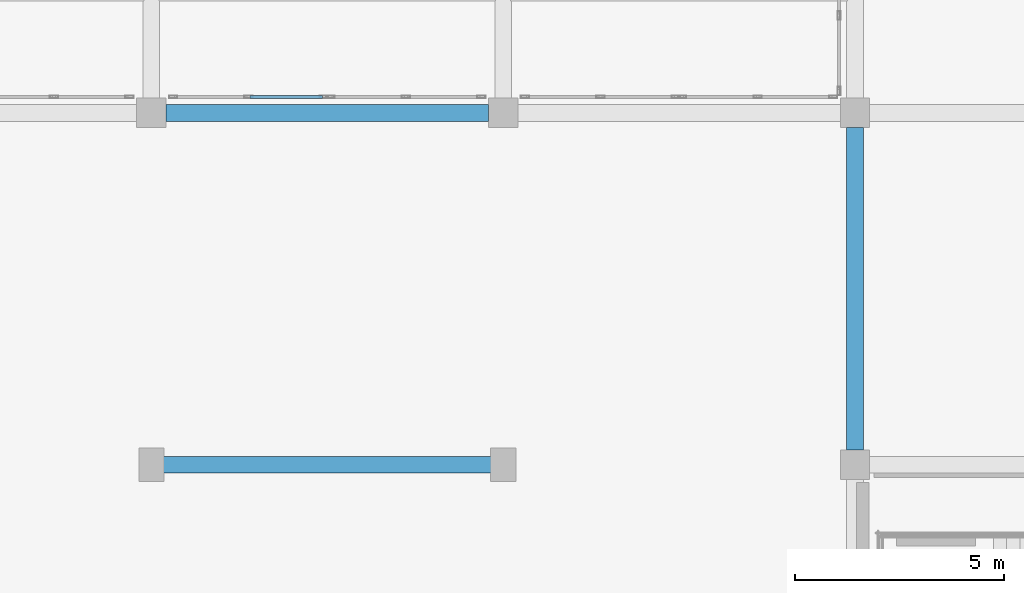
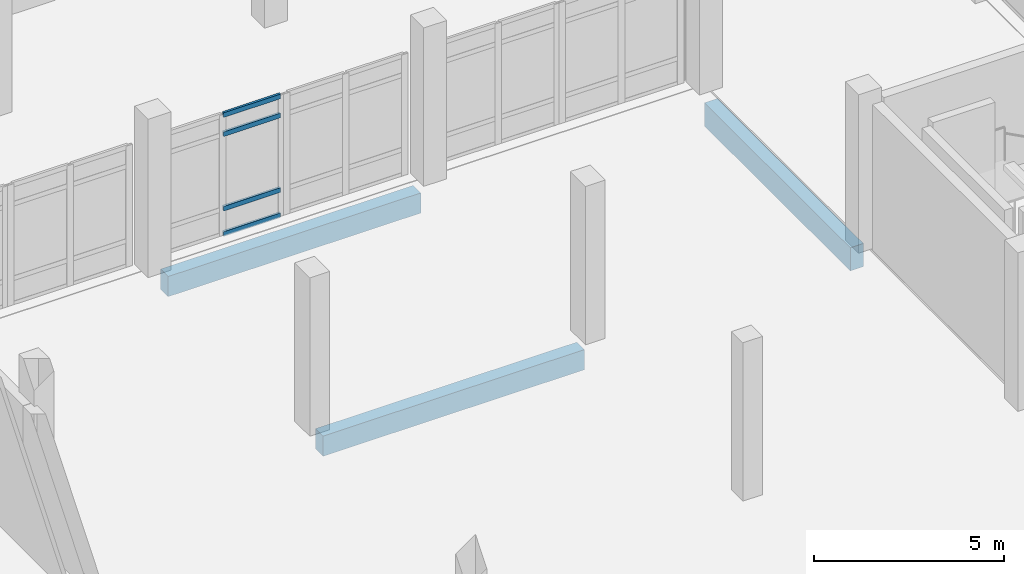
# One storey, part 8 of 64: 4 members, 3 beams, 1 element without a shape of its own.
"""IFC4 building model written with IfcOpenShell, lengths in metres."""

import ifcopenshell
import ifcopenshell.guid

model = None  # the IFC model being written
_history = None  # IfcOwnerHistory: only IFC2X3 demands one
_inside = {}  # id of a spatial element -> (the spatial element, [elements in it])
_under = {}  # id of a project, library or spatial element -> (it, [spatial elements below it])
_declared = {}  # id of a project -> (the project, [libraries it declares])
_typed = {}  # id of a type object -> (the type object, [elements of that type])
_made_of = {}  # id of a material, layer set ... -> (it, [elements and type objects made of it])


def new_model(schema):
    """Start an empty IFC model of exactly this schema.

    Asked for "IFC4X3", IfcOpenShell would pick the latest addendum, in which some entities
    have other attributes; the version numbers below select the first issue.
    IFC2X3 requires an IfcOwnerHistory on every rooted entity: one is made here for all.
    """
    global model, _history
    if schema == "IFC4X3":
        model = ifcopenshell.file(schema_version=(4, 3, 0, 0))
    else:
        model = ifcopenshell.file(schema=schema)
    _inside.clear()
    _under.clear()
    _declared.clear()
    _typed.clear()
    _made_of.clear()
    _history = None
    if model.schema == "IFC2X3":
        org = make("IfcOrganization", Name="unknown")
        user = make(
            "IfcPersonAndOrganization",
            ThePerson=make("IfcPerson", FamilyName="unknown"),
            TheOrganization=org,
        )
        app = make(
            "IfcApplication",
            ApplicationDeveloper=org,
            Version="unknown",
            ApplicationFullName="unknown",
            ApplicationIdentifier="unknown",
        )
        _history = make(
            "IfcOwnerHistory",
            OwningUser=user,
            OwningApplication=app,
            ChangeAction="ADDED",
            CreationDate=0,
        )
    return model


def make(cls, **values):
    """One entity of the class cls with the attributes given. An attribute that is None is left unset."""
    return model.create_entity(
        cls, **{name: value for name, value in values.items() if value is not None}
    )


def rooted(cls, **values):
    """An entity with a GlobalId (a new one), such as an element, a storey or a relation."""
    return make(cls, GlobalId=ifcopenshell.guid.new(), OwnerHistory=_history, **values)


def si_unit(unit_type, name, prefix=None):
    """IfcSIUnit, for example si_unit("LENGTHUNIT", "METRE", prefix="MILLI")."""
    return make("IfcSIUnit", UnitType=unit_type, Prefix=prefix, Name=name)


def derived_unit(unit_type, elements):
    """IfcDerivedUnit: a product of units, each with its exponent."""
    return make(
        "IfcDerivedUnit",
        Elements=[
            make("IfcDerivedUnitElement", Unit=unit, Exponent=power)
            for unit, power in elements
        ],
        UnitType=unit_type,
    )


def assignment(units):
    """IfcUnitAssignment: the units of a project."""
    return None if units is None else make("IfcUnitAssignment", Units=units)


def point(xyz):
    """IfcCartesianPoint."""
    return None if xyz is None else make("IfcCartesianPoint", Coordinates=xyz)


def direction(xyz):
    """IfcDirection."""
    return None if xyz is None else make("IfcDirection", DirectionRatios=xyz)


def frame(location, z_axis=None, x_axis=None):
    """IfcAxis2Placement3D, a coordinate frame: its origin and axes. An axis left out is left unset."""
    return make(
        "IfcAxis2Placement3D",
        Location=point(location),
        Axis=direction(z_axis),
        RefDirection=direction(x_axis),
    )


def frame_2d(location, x_axis=None):
    """IfcAxis2Placement2D, a coordinate frame in the plane: its origin and x axis."""
    return make(
        "IfcAxis2Placement2D", Location=point(location), RefDirection=direction(x_axis)
    )


def origin():
    """The frame at (0, 0, 0) with its axes left unset."""
    return frame((0.0, 0.0, 0.0))


def origin_2d():
    """The frame at (0, 0) in the plane with its x axis left unset."""
    return frame_2d((0.0, 0.0))


def place(relative_to, where):
    """IfcLocalPlacement: puts the frame where relative to a parent placement (None: the world)."""
    return make(
        "IfcLocalPlacement", PlacementRelTo=relative_to, RelativePlacement=where
    )


def context(
    kind, dimensions, precision=None, world=None, true_north=None, identifier=None
):
    """IfcGeometricRepresentationContext, for example the 3D "Model" context."""
    return make(
        "IfcGeometricRepresentationContext",
        ContextIdentifier=identifier,
        ContextType=kind,
        CoordinateSpaceDimension=dimensions,
        Precision=precision,
        WorldCoordinateSystem=world,
        TrueNorth=true_north,
    )


def subcontext(parent, identifier, kind, view, scale=None):
    """IfcGeometricRepresentationSubContext, for example "Body" below "Model"."""
    return make(
        "IfcGeometricRepresentationSubContext",
        ContextIdentifier=identifier,
        ContextType=kind,
        ParentContext=parent,
        TargetScale=scale,
        TargetView=view,
    )


def project(units=None, contexts=None):
    """IfcProject with its units and contexts."""
    return rooted(
        "IfcProject",
        Name="project",
        RepresentationContexts=contexts,
        UnitsInContext=assignment(units),
    )


def spatial(cls, under=None, at=None, **own):
    """A site, building, storey or space (cls), placed at a placement, below another one or the project."""
    s = rooted(cls, ObjectPlacement=at, **own)
    if under is not None:
        _under.setdefault(under.id(), (under, []))[1].append(s)
    return s


def profile(cls, at=None, kind="AREA", **sizes):
    """A parametric profile (cls). Its sizes go by their IFC names, for example OverallWidth=200.0."""
    return make(cls, ProfileType=kind, Position=at, **sizes)


def rectangle(**sizes):
    """IfcRectangleProfileDef."""
    return profile("IfcRectangleProfileDef", **sizes)


def hollow_rectangle(**sizes):
    """IfcRectangleHollowProfileDef."""
    return profile("IfcRectangleHollowProfileDef", **sizes)


def extrude(swept, where, along, depth):
    """IfcExtrudedAreaSolid: the profile swept, set in the frame where, extruded along a direction by depth."""
    return make(
        "IfcExtrudedAreaSolid",
        SweptArea=swept,
        Position=where,
        ExtrudedDirection=direction(along),
        Depth=depth,
    )


def shape(context_of_items, identifier, shape_type, items):
    """IfcShapeRepresentation: the items that make up one representation, for example the "Body"."""
    return make(
        "IfcShapeRepresentation",
        ContextOfItems=context_of_items,
        RepresentationIdentifier=identifier,
        RepresentationType=shape_type,
        Items=items,
    )


def material(Name=None, Category=None):
    """IfcMaterial."""
    return make("IfcMaterial", Name=Name, Category=Category)


def layer(
    of_material, thickness, ventilated=None, Name=None, Category=None, Priority=None
):
    """IfcMaterialLayer: one layer of a wall or slab, of a material (None: an air gap)."""
    return make(
        "IfcMaterialLayer",
        Material=of_material,
        LayerThickness=thickness,
        IsVentilated=ventilated,
        Name=Name,
        Category=Category,
        Priority=Priority,
    )


def layer_set(layers, Name=None):
    """IfcMaterialLayerSet."""
    return make("IfcMaterialLayerSet", MaterialLayers=layers, LayerSetName=Name)


def material_profile(
    of_material, cross_section, Name=None, Category=None, Priority=None
):
    """IfcMaterialProfile: a cross section and its material."""
    return make(
        "IfcMaterialProfile",
        Name=Name,
        Material=of_material,
        Profile=cross_section,
        Priority=Priority,
        Category=Category,
    )


def profile_set(profiles, Name=None, composite=None):
    """IfcMaterialProfileSet."""
    return make(
        "IfcMaterialProfileSet",
        Name=Name,
        MaterialProfiles=profiles,
        CompositeProfile=composite,
    )


def made_of(thing, what):
    """Note that an element or type object is made of a material, layer set ...; save() writes the relation."""
    if what is not None:
        _made_of.setdefault(what.id(), (what, []))[1].append(thing)
    return thing


def type_object(cls, material=None, **own):
    """A type object (cls), such as IfcWallType, which elements share."""
    return made_of(rooted(cls, **own), material)


def element(
    cls,
    number,
    at=None,
    inside=None,
    cuts=None,
    type_object=None,
    material=None,
    context=None,
    identifier="Body",
    shape_type=None,
    held_by="IfcProductDefinitionShape",
    body=None,
    shapes=None,
    **own,
):
    """One element of the class cls, such as IfcWall. Its Tag is "e" and its number.

    at: its placement. inside: the storey or other place that contains it. cuts: it is an
    opening in that element (IfcRelVoidsElement). A single representation is given by context,
    identifier, shape_type and body (its items); several are given by shapes. held_by: the class
    of the entity that holds the representations. save() writes the other relations.
    """
    e = rooted(cls, Tag="e%d" % number, ObjectPlacement=at, **own)
    if body is not None:
        shapes = [shape(context, identifier, shape_type, body)]
    if shapes is not None:
        e.Representation = make(held_by, Representations=shapes)
    if inside is not None:
        _inside.setdefault(inside.id(), (inside, []))[1].append(e)
    if cuts is not None:
        rooted(
            "IfcRelVoidsElement", RelatingBuildingElement=cuts, RelatedOpeningElement=e
        )
    if type_object is not None:
        _typed.setdefault(type_object.id(), (type_object, []))[1].append(e)
    return made_of(e, material)


def aggregate(whole, parts):
    """IfcRelAggregates: a whole, such as a stair, and the parts it consists of."""
    return rooted("IfcRelAggregates", RelatingObject=whole, RelatedObjects=parts)


def save(model, path):
    """Write the relations noted so far, then the file.

    IfcRelAggregates (storeys below a building ...), IfcRelContainedInSpatialStructure (elements
    in a storey), IfcRelDefinesByType, IfcRelAssociatesMaterial and IfcRelDeclares: one each for
    every whole, place, type object, material and project.
    """
    for whole, parts in _under.values():
        aggregate(whole, parts)
    for where, things in _inside.values():
        rooted(
            "IfcRelContainedInSpatialStructure",
            RelatedElements=things,
            RelatingStructure=where,
        )
    for kind, things in _typed.values():
        rooted("IfcRelDefinesByType", RelatedObjects=things, RelatingType=kind)
    for what, things in _made_of.values():
        rooted("IfcRelAssociatesMaterial", RelatedObjects=things, RelatingMaterial=what)
    for by, libraries in _declared.values():
        rooted("IfcRelDeclares", RelatingContext=by, RelatedDefinitions=libraries)
    model.write(path)


model = new_model("IFC4")

# Units and contexts
model_context = context("Model", 3, precision=1e-05, world=origin(), true_north=direction((0.0, 1.0)))
body_context = subcontext(model_context, "Body", "Model", "MODEL_VIEW")
ifc_project = project(units=[si_unit("LENGTHUNIT", "METRE"), si_unit("AREAUNIT", "SQUARE_METRE"), si_unit("VOLUMEUNIT", "CUBIC_METRE"), si_unit("PLANEANGLEUNIT", "RADIAN"), si_unit("MASSUNIT", "GRAM", prefix="KILO"), derived_unit("THERMALTRANSMITTANCEUNIT", [(si_unit("POWERUNIT", "WATT"), 1), (si_unit("LENGTHUNIT", "METRE"), -2), (si_unit("THERMODYNAMICTEMPERATUREUNIT", "KELVIN"), -1)])], contexts=[model_context])

# Site, building, storey
site_placement = place(None, origin())
site = spatial("IfcSite", under=ifc_project, at=site_placement, CompositionType="ELEMENT")
building_placement = place(site_placement, origin())
building = spatial("IfcBuilding", under=site, at=building_placement, Name="Elbkamm Science Centre", CompositionType="ELEMENT")
storey_placement = place(building_placement, origin())
storey = spatial("IfcBuildingStorey", under=building, at=storey_placement, Name="L00", CompositionType="ELEMENT", Elevation=0.0)

# Beams
ifc_material_1 = material(Name="Concrete C40/50", Category="concrete")
ifc_material_profile_1 = material_profile(ifc_material_1, rectangle(XDim=0.39990234375, YDim=0.64990234375, at=origin_2d()), Name="RC 400x650")
ifc_profile_set_1 = profile_set([ifc_material_profile_1], Name="Concrete C40/50")
beam_type_1 = type_object("IfcBeamType", Name="BM-RC-400x650", PredefinedType="BEAM", material=ifc_profile_set_1)
beam_1_placement = place(storey_placement, frame((109.550048828125, 42.0, -0.625), z_axis=(1.0, 0.0, 0.0), x_axis=(0.0, 1.0, 0.0)))
element("IfcBeam", 1, at=beam_1_placement, inside=storey, type_object=beam_type_1, Name="L00 Primary X-Girder 043", PredefinedType="BEAM", context=body_context, shape_type="SweptSolid", body=[
    extrude(rectangle(XDim=0.39990234375, YDim=0.64990234375, at=origin_2d()), origin(), (0.0, 0.0, 1.0), 7.699951171875),
])
beam_2_placement = place(storey_placement, frame((109.419921875, 33.60009765625, -0.625), z_axis=(1.0, 0.0, 0.0), x_axis=(0.0, 1.0, 0.0)))
element("IfcBeam", 2, at=beam_2_placement, inside=storey, type_object=beam_type_1, Name="L00 Perimeter Ring Tie Girder 008", PredefinedType="BEAM", context=body_context, shape_type="SweptSolid", body=[
    extrude(rectangle(XDim=0.39990234375, YDim=0.64990234375, at=origin_2d()), origin(), (0.0, 0.0, 1.0), 7.9599609375),
])
ifc_material_profile_2 = material_profile(ifc_material_1, rectangle(XDim=0.39990234375, YDim=0.75, at=origin_2d()), Name="RC 400x750")
ifc_profile_set_2 = profile_set([ifc_material_profile_2], Name="Concrete C40/50")
beam_type_2 = type_object("IfcBeamType", Name="BM-RC-400x750", PredefinedType="BEAM", material=ifc_profile_set_2)
beam_3_placement = place(storey_placement, frame((126.0, 33.949951171875, -0.675048828125), z_axis=(0.0, 1.0, 0.0), x_axis=(-1.0, 0.0, 0.0)))
element("IfcBeam", 3, at=beam_3_placement, inside=storey, type_object=beam_type_2, Name="L00 Primary Y-Girder 047", PredefinedType="BEAM", context=body_context, shape_type="SweptSolid", body=[
    extrude(rectangle(XDim=0.39990234375, YDim=0.75, at=origin_2d()), origin(), (0.0, 0.0, 1.0), 7.699951171875),
])

# Curtain wall, members
ifc_material_2 = material(Name="Powder-coated aluminium and triple low-E glazing", Category="aluminium")
ifc_layer = layer(ifc_material_2, 0.159912109375)
ifc_layer_set = layer_set([ifc_layer], Name="Powder-coated aluminium and triple low-E glazing")
curtain_wall_type = type_object("IfcCurtainWallType", Name="CW-UNIT-3680x3900", PredefinedType="USERDEFINED", material=ifc_layer_set)
curtain_wall_placement = place(storey_placement, origin())
curtain_wall = element("IfcCurtainWall", 4, at=curtain_wall_placement, inside=storey, type_object=curtain_wall_type, Name="L00 Unitised Curtain Wall 141", ObjectType="UNITISED CURTAIN WALL", PredefinedType="USERDEFINED")
ifc_material_3 = material(Name="Powder-coated aluminium EN AW-6060", Category="aluminium")
ifc_material_profile_3 = material_profile(ifc_material_3, hollow_rectangle(XDim=0.070068359375, YDim=0.14990234375, WallThickness=0.00390625, at=origin_2d()), Name="ALU T70x150")
ifc_profile_set_3 = profile_set([ifc_material_profile_3], Name="Powder-coated aluminium EN AW-6060")
member_type = type_object("IfcMemberType", Name="CW-TRN-70x150", PredefinedType="USERDEFINED", material=ifc_profile_set_3)
member_1_placement = place(storey_placement, frame((113.2900390625, 42.3798828125, 0.034912109375), z_axis=(-1.0, 0.0, 0.0), x_axis=(0.0, -1.0, 0.0)))
member_1 = element("IfcMember", 5, at=member_1_placement, type_object=member_type, Name="CW-066 transom 1.1", ObjectType="TRANSOM", PredefinedType="USERDEFINED", context=body_context, shape_type="SweptSolid", body=[
    extrude(hollow_rectangle(XDim=0.070068359375, YDim=0.14990234375, WallThickness=0.00390625, at=origin_2d()), origin(), (0.0, 0.0, 1.0), 1.73193359375),
])
member_2_placement = place(storey_placement, frame((113.2900390625, 42.3798828125, 0.85009765625), z_axis=(-1.0, 0.0, 0.0), x_axis=(0.0, -1.0, 0.0)))
member_2 = element("IfcMember", 6, at=member_2_placement, type_object=member_type, Name="CW-066 transom 1.2", ObjectType="TRANSOM", PredefinedType="USERDEFINED", context=body_context, shape_type="SweptSolid", body=[
    extrude(hollow_rectangle(XDim=0.070068359375, YDim=0.14990234375, WallThickness=0.00390625, at=origin_2d()), origin(), (0.0, 0.0, 1.0), 1.73193359375),
])
member_3_placement = place(storey_placement, frame((113.2900390625, 42.3798828125, 3.25), z_axis=(-1.0, 0.0, 0.0), x_axis=(0.0, -1.0, 0.0)))
member_3 = element("IfcMember", 7, at=member_3_placement, type_object=member_type, Name="CW-066 transom 1.3", ObjectType="TRANSOM", PredefinedType="USERDEFINED", context=body_context, shape_type="SweptSolid", body=[
    extrude(hollow_rectangle(XDim=0.070068359375, YDim=0.14990234375, WallThickness=0.00390625, at=origin_2d()), origin(), (0.0, 0.0, 1.0), 1.73193359375),
])
member_4_placement = place(storey_placement, frame((113.2900390625, 42.3798828125, 3.864990234375), z_axis=(-1.0, 0.0, 0.0), x_axis=(0.0, -1.0, 0.0)))
member_4 = element("IfcMember", 8, at=member_4_placement, type_object=member_type, Name="CW-066 transom 1.4", ObjectType="TRANSOM", PredefinedType="USERDEFINED", context=body_context, shape_type="SweptSolid", body=[
    extrude(hollow_rectangle(XDim=0.070068359375, YDim=0.14990234375, WallThickness=0.00390625, at=origin_2d()), origin(), (0.0, 0.0, 1.0), 1.73193359375),
])
aggregate(curtain_wall, [member_1, member_2, member_3, member_4])

save(model, "model.ifc")
